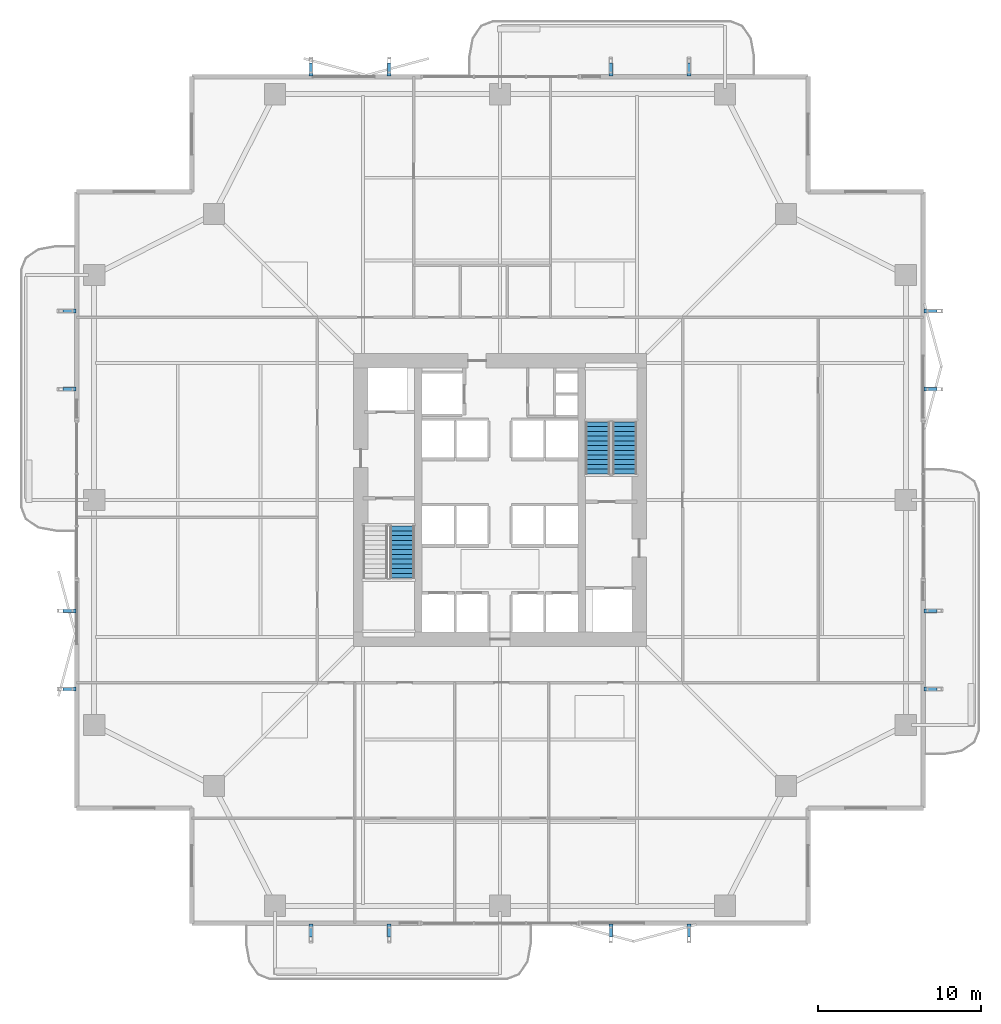
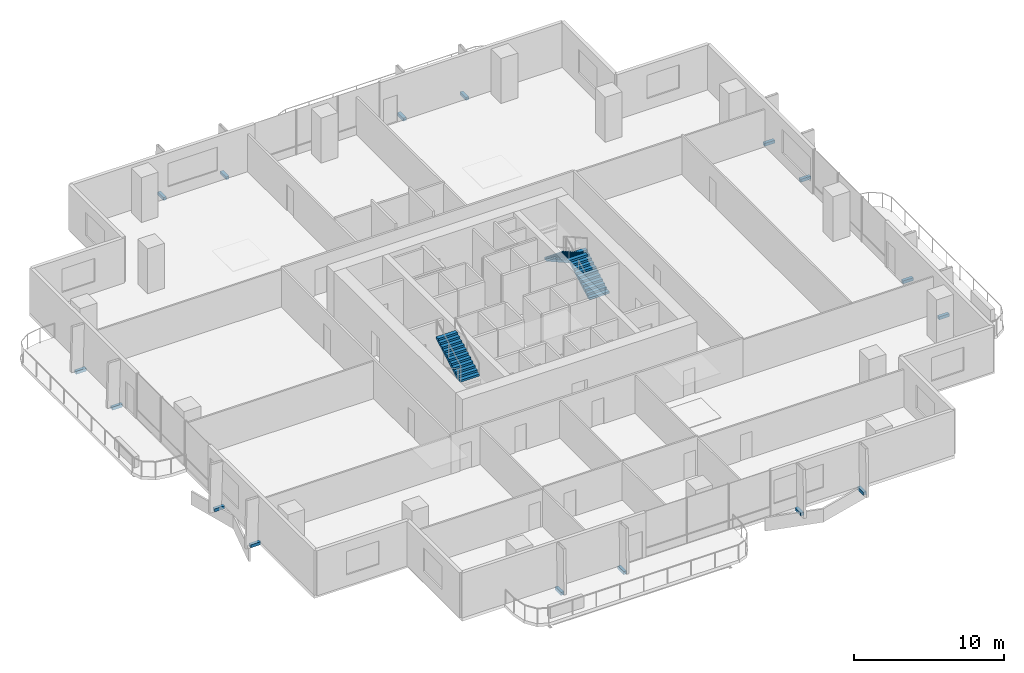
# One storey, part 20 of 23: 16 discrete accessories, 3 stair flights, 2 elements without a shape of their own.
"""IFC4 building model written with IfcOpenShell, lengths in metres."""

from ifc_helpers import new_model, si_unit, direction, frame, origin, origin_2d, place, context, subcontext, project, spatial, polyline, rectangle, outline, extrude, material, layer, layer_set, type_object, element, aggregate, save


model = new_model("IFC4")

# Units and contexts
model_context = context("Model", 3, precision=1e-05, world=origin(), true_north=direction((0.0, 1.0)))
body_context = subcontext(model_context, "Body", "Model", "MODEL_VIEW")
ifc_project = project(units=[si_unit("LENGTHUNIT", "METRE"), si_unit("AREAUNIT", "SQUARE_METRE"), si_unit("VOLUMEUNIT", "CUBIC_METRE"), si_unit("PLANEANGLEUNIT", "RADIAN"), si_unit("MASSUNIT", "GRAM", prefix="KILO")], contexts=[model_context])

# Site, building, storey
site_placement = place(None, origin())
site = spatial("IfcSite", under=ifc_project, at=site_placement, CompositionType="ELEMENT")
building_placement = place(site_placement, origin())
building = spatial("IfcBuilding", under=site, at=building_placement, Name="Belovzor Exchange Tower", CompositionType="ELEMENT")
storey_placement = place(building_placement, frame((0.0, 0.0, 125.10009765625)))
storey = spatial("IfcBuildingStorey", under=building, at=storey_placement, Name="L30", CompositionType="ELEMENT", Elevation=125.10009765625)

# Stair, stair flight
ifc_material_1 = material(Name="Concrete C40/50", Category="concrete")
stair_type = type_object("IfcStairType", Name="Reinforced Concrete Dogleg Escape Stair 1350", PredefinedType="HALF_TURN_STAIR", material=ifc_material_1)
stair_1_placement = place(storey_placement, origin())
stair_1 = element("IfcStair", 1, at=stair_1_placement, inside=storey, type_object=stair_type, Name="L30 ST-1", PredefinedType="HALF_TURN_STAIR")
ifc_material_2 = material(Name="Concrete C40/50", Category="concrete")
stair_flight_type = type_object("IfcStairFlightType", Name="Reinforced Concrete Stair Flight 1350", PredefinedType="STRAIGHT", material=ifc_material_2)
stair_flight_1_placement = place(storey_placement, frame((22.800048828125, 24.010009765625, 1.949951171875), z_axis=(0.0, 0.0, 1.0), x_axis=(0.0, 1.0, 0.0)))
stair_flight_1 = element("IfcStairFlight", 2, at=stair_flight_1_placement, type_object=stair_flight_type, Name="ST-1 flight 2", NumberOfRisers=12, NumberOfTreads=11, PredefinedType="STRAIGHT", RiserHeight=0.1625, TreadLength=0.29, context=body_context, shape_type="SweptSolid", body=[
    extrude(outline(polyline([(0.0, 0.0), (0.0, 0.16259765625), (0.2900390625, 0.16259765625), (0.2900390625, 0.324951171875), (0.580078125, 0.324951171875), (0.580078125, 0.487548828125), (0.8701171875, 0.487548828125), (0.8701171875, 0.64990234375), (1.159912109375, 0.64990234375), (1.159912109375, 0.8125), (1.449951171875, 0.8125), (1.449951171875, 0.97509765625), (1.739990234375, 0.97509765625), (1.739990234375, 1.137451171875), (2.030029296875, 1.137451171875), (2.030029296875, 1.300048828125), (2.320068359375, 1.300048828125), (2.320068359375, 1.46240234375), (2.610107421875, 1.46240234375), (2.610107421875, 1.625), (2.89990234375, 1.625), (2.89990234375, 1.78759765625), (3.18994140625, 1.78759765625), (3.18994140625, 1.949951171875), (3.18994140625, 1.61572265625), (0.306640625, 0.0), (0.0, 0.0)])), frame((0.0, 0.75, 0.0), z_axis=(0.0, -1.0, 0.0), x_axis=(1.0, 0.0, 0.0)), (0.0, 0.0, 1.0), 1.5),
])
aggregate(stair_1, [stair_flight_1])

# Stair, stair flights
stair_2_placement = place(storey_placement, origin())
stair_2 = element("IfcStair", 3, at=stair_2_placement, inside=storey, type_object=stair_type, Name="L30 ST-2", PredefinedType="HALF_TURN_STAIR")
stair_flight_2_placement = place(storey_placement, frame((36.449951171875, 30.39990234375, 0.0), z_axis=(0.0, 0.0, 1.0), x_axis=(0.0, 1.0, 0.0)))
stair_flight_2 = element("IfcStairFlight", 4, at=stair_flight_2_placement, type_object=stair_flight_type, Name="ST-2 flight 1", NumberOfRisers=12, NumberOfTreads=11, PredefinedType="STRAIGHT", RiserHeight=0.1625, TreadLength=0.29, context=body_context, shape_type="SweptSolid", body=[
    extrude(outline(polyline([(0.0, 0.0), (0.0, 0.16259765625), (0.2900390625, 0.16259765625), (0.2900390625, 0.324951171875), (0.580078125, 0.324951171875), (0.580078125, 0.487548828125), (0.8701171875, 0.487548828125), (0.8701171875, 0.64990234375), (1.159912109375, 0.64990234375), (1.159912109375, 0.8125), (1.449951171875, 0.8125), (1.449951171875, 0.97509765625), (1.739990234375, 0.97509765625), (1.739990234375, 1.137451171875), (2.030029296875, 1.137451171875), (2.030029296875, 1.300048828125), (2.320068359375, 1.300048828125), (2.320068359375, 1.46240234375), (2.610107421875, 1.46240234375), (2.610107421875, 1.625), (2.89990234375, 1.625), (2.89990234375, 1.78759765625), (3.18994140625, 1.78759765625), (3.18994140625, 1.949951171875), (3.18994140625, 1.61572265625), (0.306640625, 0.0), (0.0, 0.0)])), frame((0.0, 0.75, 0.0), z_axis=(0.0, -1.0, 0.0), x_axis=(1.0, 0.0, 0.0)), (0.0, 0.0, 1.0), 1.5),
])
stair_flight_3_placement = place(storey_placement, frame((34.800048828125, 33.590087890625, 1.949951171875), z_axis=(0.0, 0.0, 1.0), x_axis=(0.0, -1.0, 0.0)))
stair_flight_3 = element("IfcStairFlight", 5, at=stair_flight_3_placement, type_object=stair_flight_type, Name="ST-2 flight 2", NumberOfRisers=12, NumberOfTreads=11, PredefinedType="STRAIGHT", RiserHeight=0.1625, TreadLength=0.29, context=body_context, shape_type="SweptSolid", body=[
    extrude(outline(polyline([(0.0, 0.0), (0.0, 0.16259765625), (0.2900390625, 0.16259765625), (0.2900390625, 0.324951171875), (0.580078125, 0.324951171875), (0.580078125, 0.487548828125), (0.8701171875, 0.487548828125), (0.8701171875, 0.64990234375), (1.159912109375, 0.64990234375), (1.159912109375, 0.8125), (1.449951171875, 0.8125), (1.449951171875, 0.97509765625), (1.739990234375, 0.97509765625), (1.739990234375, 1.137451171875), (2.030029296875, 1.137451171875), (2.030029296875, 1.300048828125), (2.320068359375, 1.300048828125), (2.320068359375, 1.46240234375), (2.610107421875, 1.46240234375), (2.610107421875, 1.625), (2.89990234375, 1.625), (2.89990234375, 1.78759765625), (3.18994140625, 1.78759765625), (3.18994140625, 1.949951171875), (3.18994140625, 1.61572265625), (0.306640625, 0.0), (0.0, 0.0)])), frame((0.0, 0.75, 0.0), z_axis=(0.0, -1.0, 0.0), x_axis=(1.0, 0.0, 0.0)), (0.0, 0.0, 1.0), 1.5),
])
aggregate(stair_2, [stair_flight_2, stair_flight_3])

# Discrete accessories
ifc_material_3 = material(Name="Stainless Steel Grade 316", Category="steel")
ifc_layer = layer(ifc_material_3, 0.179931640625)
ifc_layer_set = layer_set([ifc_layer], Name="Stainless Steel Grade 316")
discrete_accessory_type = type_object("IfcDiscreteAccessoryType", Name="Stainless Steel Facade Outrigger Fixing Bracket", PredefinedType="BRACKET", material=ifc_layer_set)
for number, where, z_axis, x_axis, name in (
    (6, (17.199951171875, 2.385986328125, -0.2451171875), (0.0, 0.0, 1.0), (0.0, 1.0, 0.0), "BRK-FIN1 Sweeping Fin Outrigger Bracket L30 S1"),
    (7, (17.199951171875, 55.214111328125, -0.2451171875), (0.0, 0.0, 1.0), (0.0, 1.0, 0.0), "BRK-FIN1 Sweeping Fin Outrigger Bracket L30 N1"),
    (8, (2.385986328125, 17.199951171875, -0.2451171875), (0.0, 0.0, 1.0), (1.0, 0.0, 0.0), "BRK-FIN1 Sweeping Fin Outrigger Bracket L30 W1"),
    (9, (55.214111328125, 17.199951171875, -0.2451171875), (0.0, 0.0, 1.0), (1.0, 0.0, 0.0), "BRK-FIN1 Sweeping Fin Outrigger Bracket L30 E1"),
    (10, (22.0, 2.385986328125, -0.2451171875), (0.0, 0.0, 1.0), (0.0, 1.0, 0.0), "BRK-FIN1 Sweeping Fin Outrigger Bracket L30 S2"),
    (11, (22.0, 55.214111328125, -0.2451171875), (0.0, 0.0, 1.0), (0.0, 1.0, 0.0), "BRK-FIN1 Sweeping Fin Outrigger Bracket L30 N2"),
    (12, (2.385986328125, 22.0, -0.2451171875), (0.0, 0.0, 1.0), (1.0, 0.0, 0.0), "BRK-FIN1 Sweeping Fin Outrigger Bracket L30 W2"),
    (13, (55.214111328125, 22.0, -0.2451171875), (0.0, 0.0, 1.0), (1.0, 0.0, 0.0), "BRK-FIN1 Sweeping Fin Outrigger Bracket L30 E2"),
    (14, (35.60009765625, 2.385986328125, -0.2451171875), (0.0, 0.0, 1.0), (0.0, 1.0, 0.0), "BRK-FIN1 Sweeping Fin Outrigger Bracket L30 S3"),
    (15, (35.60009765625, 55.214111328125, -0.2451171875), (0.0, 0.0, 1.0), (0.0, 1.0, 0.0), "BRK-FIN1 Sweeping Fin Outrigger Bracket L30 N3"),
    (16, (2.385986328125, 35.60009765625, -0.2451171875), (0.0, 0.0, 1.0), (1.0, 0.0, 0.0), "BRK-FIN1 Sweeping Fin Outrigger Bracket L30 W3"),
    (17, (55.214111328125, 35.60009765625, -0.2451171875), (0.0, 0.0, 1.0), (1.0, 0.0, 0.0), "BRK-FIN1 Sweeping Fin Outrigger Bracket L30 E3"),
    (18, (40.39990234375, 2.385986328125, -0.2451171875), (0.0, 0.0, 1.0), (0.0, 1.0, 0.0), "BRK-FIN1 Sweeping Fin Outrigger Bracket L30 S4"),
    (19, (40.39990234375, 55.214111328125, -0.2451171875), (0.0, 0.0, 1.0), (0.0, 1.0, 0.0), "BRK-FIN1 Sweeping Fin Outrigger Bracket L30 N4"),
    (20, (2.385986328125, 40.39990234375, -0.2451171875), (0.0, 0.0, 1.0), (1.0, 0.0, 0.0), "BRK-FIN1 Sweeping Fin Outrigger Bracket L30 W4"),
    (21, (55.214111328125, 40.39990234375, -0.2451171875), (0.0, 0.0, 1.0), (1.0, 0.0, 0.0), "BRK-FIN1 Sweeping Fin Outrigger Bracket L30 E4"),
):
    element("IfcDiscreteAccessory", number, at=place(storey_placement, frame(where, z_axis=z_axis, x_axis=x_axis)), inside=storey, type_object=discrete_accessory_type, Name=name, PredefinedType="BRACKET", context=body_context, shape_type="SweptSolid", body=[
        extrude(rectangle(XDim=0.7880859375, YDim=0.239990234375, at=origin_2d()), origin(), (0.0, 0.0, 1.0), 0.239990234375),
    ])

save(model, "model.ifc")
